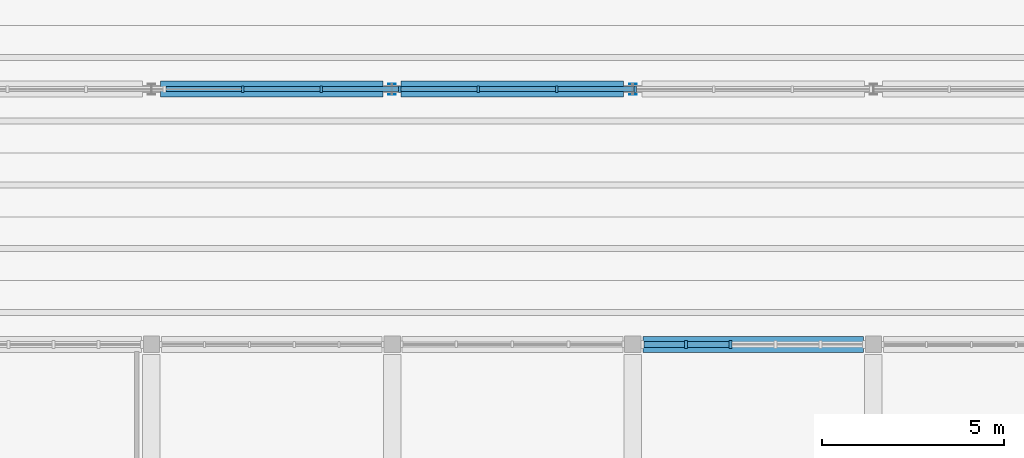
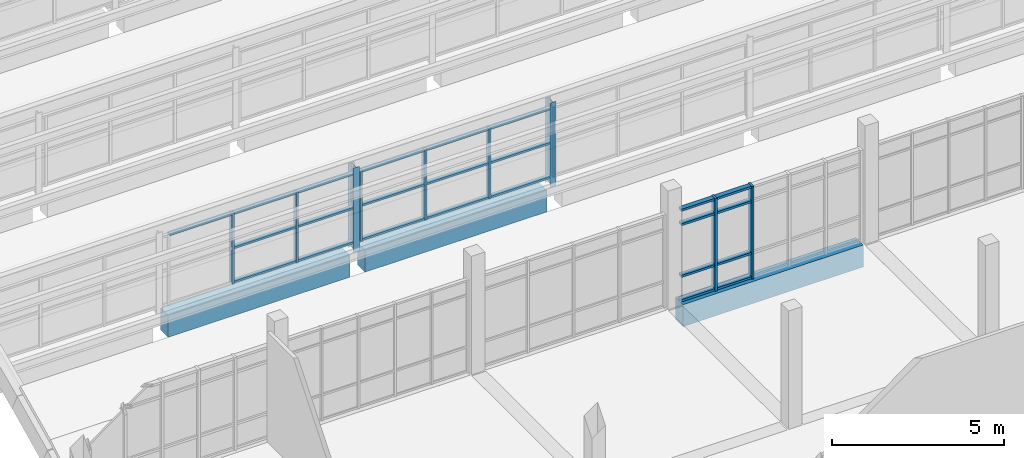
# One storey, part 14 of 92: 34 members, 3 beams, 2 elements without a shape of their own.
"""IFC4 building model written with IfcOpenShell, lengths in metres."""

from ifc_helpers import new_model, si_unit, direction, frame, origin, origin_2d, place, context, subcontext, project, spatial, rectangle, i_section, extrude, material, material_profile, profile_set, type_object, element, aggregate, save


model = new_model("IFC4")

# Units and contexts
model_context = context("Model", 3, precision=1e-05, world=origin(), true_north=direction((0.0, 1.0)))
body_context = subcontext(model_context, "Body", "Model", "MODEL_VIEW")
ifc_project = project(units=[si_unit("LENGTHUNIT", "METRE"), si_unit("AREAUNIT", "SQUARE_METRE"), si_unit("VOLUMEUNIT", "CUBIC_METRE"), si_unit("PLANEANGLEUNIT", "RADIAN"), si_unit("MASSUNIT", "GRAM", prefix="KILO")], contexts=[model_context])

# Site, building, storey
site_placement = place(None, origin())
site = spatial("IfcSite", under=ifc_project, at=site_placement, CompositionType="ELEMENT")
building_placement = place(site_placement, origin())
building = spatial("IfcBuilding", under=site, at=building_placement, Name="Ciguamira Faculty of Natural Sciences", CompositionType="ELEMENT")
storey_placement = place(building_placement, frame((0.0, 0.0, 16.800048828125)))
storey = spatial("IfcBuildingStorey", under=building, at=storey_placement, Name="L04", CompositionType="ELEMENT", Elevation=16.800048828125)

# Curtain wall, members
ifc_material_1 = material(Name="Anodized aluminium curtain wall", Category="aluminium")
curtain_wall_type_1 = type_object("IfcCurtainWallType", Name="CurtainWall_CW-02", PredefinedType="USERDEFINED", material=ifc_material_1)
curtain_wall_1_placement = place(storey_placement, origin())
curtain_wall_1 = element("IfcCurtainWall", 1, at=curtain_wall_1_placement, inside=storey, type_object=curtain_wall_type_1, Name="V4 north-light wave 1 clerestory glazing 1", ObjectType="UNITISED CURTAIN WALL", PredefinedType="USERDEFINED")
ifc_material_2 = material(Name="Anodized aluminium mullion", Category="aluminium")
ifc_material_profile_1 = material_profile(ifc_material_2, rectangle(XDim=0.070068359375, YDim=0.179931640625, at=origin_2d()), Name="ALU-MUL-70X180")
ifc_profile_set_1 = profile_set([ifc_material_profile_1], Name="Anodized aluminium mullion")
member_type_1 = type_object("IfcMemberType", Name="CWMullion_CWM-02", PredefinedType="MULLION", material=ifc_profile_set_1)
member_1_placement = place(storey_placement, frame((73.009521484375, 45.0, 0.25), z_axis=(0.0, 0.0, 1.0), x_axis=(1.0, 0.0, 0.0)))
member_1 = element("IfcMember", 2, at=member_1_placement, type_object=member_type_1, Name="CW-02 mullion 5", PredefinedType="MULLION", context=body_context, shape_type="SweptSolid", body=[
    extrude(rectangle(XDim=0.070068359375, YDim=0.179931640625, at=origin_2d()), origin(), (0.0, 0.0, 1.0), 2.5),
])
member_2_placement = place(storey_placement, frame((75.161865234375, 45.0, 0.25), z_axis=(0.0, 0.0, 1.0), x_axis=(1.0, 0.0, 0.0)))
member_2 = element("IfcMember", 3, at=member_2_placement, type_object=member_type_1, Name="CW-02 mullion 6", PredefinedType="MULLION", context=body_context, shape_type="SweptSolid", body=[
    extrude(rectangle(XDim=0.070068359375, YDim=0.179931640625, at=origin_2d()), origin(), (0.0, 0.0, 1.0), 2.5),
])
member_3_placement = place(storey_placement, frame((77.314208984375, 45.0, 0.25), z_axis=(0.0, 0.0, 1.0), x_axis=(1.0, 0.0, 0.0)))
member_3 = element("IfcMember", 4, at=member_3_placement, type_object=member_type_1, Name="CW-02 mullion 7", PredefinedType="MULLION", context=body_context, shape_type="SweptSolid", body=[
    extrude(rectangle(XDim=0.070068359375, YDim=0.179931640625, at=origin_2d()), origin(), (0.0, 0.0, 1.0), 2.5),
])
member_4_placement = place(storey_placement, frame((79.466552734375, 45.0, 0.25), z_axis=(0.0, 0.0, 1.0), x_axis=(1.0, 0.0, 0.0)))
member_4 = element("IfcMember", 5, at=member_4_placement, type_object=member_type_1, Name="CW-02 mullion 8", PredefinedType="MULLION", context=body_context, shape_type="SweptSolid", body=[
    extrude(rectangle(XDim=0.070068359375, YDim=0.179931640625, at=origin_2d()), origin(), (0.0, 0.0, 1.0), 2.5),
])
member_5_placement = place(storey_placement, frame((81.619140625, 45.0, 0.25), z_axis=(0.0, 0.0, 1.0), x_axis=(1.0, 0.0, 0.0)))
member_5 = element("IfcMember", 6, at=member_5_placement, type_object=member_type_1, Name="CW-02 mullion 9", PredefinedType="MULLION", context=body_context, shape_type="SweptSolid", body=[
    extrude(rectangle(XDim=0.070068359375, YDim=0.179931640625, at=origin_2d()), origin(), (0.0, 0.0, 1.0), 2.5),
])
member_6_placement = place(storey_placement, frame((83.771484375, 45.0, 0.25), z_axis=(0.0, 0.0, 1.0), x_axis=(1.0, 0.0, 0.0)))
member_6 = element("IfcMember", 7, at=member_6_placement, type_object=member_type_1, Name="CW-02 mullion 10", PredefinedType="MULLION", context=body_context, shape_type="SweptSolid", body=[
    extrude(rectangle(XDim=0.070068359375, YDim=0.179931640625, at=origin_2d()), origin(), (0.0, 0.0, 1.0), 2.5),
])

curtain_wall_type_2 = type_object("IfcCurtainWallType", Name="CurtainWall_CW-09", PredefinedType="USERDEFINED", material=ifc_material_1)
curtain_wall_2_placement = place(storey_placement, origin())
curtain_wall_2 = element("IfcCurtainWall", 8, at=curtain_wall_2_placement, inside=storey, type_object=curtain_wall_type_2, Name="L04 unitised curtain wall 0117", ObjectType="UNITISED CURTAIN WALL", PredefinedType="USERDEFINED")
ifc_material_profile_2 = material_profile(ifc_material_2, rectangle(XDim=0.080078125, YDim=0.219970703125, at=origin_2d()), Name="ALU-MUL-80X220")
ifc_profile_set_2 = profile_set([ifc_material_profile_2], Name="Anodized aluminium mullion")
member_type_2 = type_object("IfcMemberType", Name="CWMullion_CWM-03", PredefinedType="MULLION", material=ifc_profile_set_2)
member_7_placement = place(storey_placement, frame((85.155029296875, 38.0, 0.0), z_axis=(0.0, 0.0, 1.0), x_axis=(1.0, 0.0, 0.0)))
member_7 = element("IfcMember", 9, at=member_7_placement, type_object=member_type_2, Name="CW-09 mullion 2", PredefinedType="MULLION", context=body_context, shape_type="SweptSolid", body=[
    extrude(rectangle(XDim=0.080078125, YDim=0.219970703125, at=origin_2d()), origin(), (0.0, 0.0, 1.0), 3.284912109375),
])
member_8_placement = place(storey_placement, frame((86.385009765625, 38.0, 0.0), z_axis=(0.0, 0.0, 1.0), x_axis=(1.0, 0.0, 0.0)))
member_8 = element("IfcMember", 10, at=member_8_placement, type_object=member_type_2, Name="CW-09 mullion 3", PredefinedType="MULLION", context=body_context, shape_type="SweptSolid", body=[
    extrude(rectangle(XDim=0.080078125, YDim=0.219970703125, at=origin_2d()), origin(), (0.0, 0.0, 1.0), 3.284912109375),
])

# Member
ifc_material_3 = material(Name="Anodized aluminium transom", Category="aluminium")
ifc_material_profile_3 = material_profile(ifc_material_3, rectangle(XDim=0.070068359375, YDim=0.139892578125, at=origin_2d()), Name="ALU-TRN-70X140")
ifc_profile_set_3 = profile_set([ifc_material_profile_3], Name="Anodized aluminium transom")
member_type_3 = type_object("IfcMemberType", Name="CWTransom_CWT-02", PredefinedType="USERDEFINED", material=ifc_profile_set_3)
member_9_placement = place(storey_placement, frame((70.89208984375, 45.0, 2.71484375), z_axis=(1.0, 0.0, 0.0), x_axis=(0.0, 0.0, 1.0)))
member_9 = element("IfcMember", 11, at=member_9_placement, type_object=member_type_3, Name="CW-02 transom 4.3", ObjectType="TRANSOM", PredefinedType="USERDEFINED", context=body_context, shape_type="SweptSolid", body=[
    extrude(rectangle(XDim=0.070068359375, YDim=0.139892578125, at=origin_2d()), origin(), (0.0, 0.0, 1.0), 2.08251953125),
])

member_10_placement = place(storey_placement, frame((73.04443359375, 45.0, 0.284912109375), z_axis=(1.0, 0.0, 0.0), x_axis=(0.0, 0.0, 1.0)))
member_10 = element("IfcMember", 12, at=member_10_placement, type_object=member_type_3, Name="CW-02 transom 5.1", ObjectType="TRANSOM", PredefinedType="USERDEFINED", context=body_context, shape_type="SweptSolid", body=[
    extrude(rectangle(XDim=0.070068359375, YDim=0.139892578125, at=origin_2d()), origin(), (0.0, 0.0, 1.0), 2.08251953125),
])

member_11_placement = place(storey_placement, frame((73.04443359375, 45.0, 1.5), z_axis=(1.0, 0.0, 0.0), x_axis=(0.0, 0.0, 1.0)))
member_11 = element("IfcMember", 13, at=member_11_placement, type_object=member_type_3, Name="CW-02 transom 5.2", ObjectType="TRANSOM", PredefinedType="USERDEFINED", context=body_context, shape_type="SweptSolid", body=[
    extrude(rectangle(XDim=0.070068359375, YDim=0.139892578125, at=origin_2d()), origin(), (0.0, 0.0, 1.0), 2.08251953125),
])

member_12_placement = place(storey_placement, frame((73.04443359375, 45.0, 2.71484375), z_axis=(1.0, 0.0, 0.0), x_axis=(0.0, 0.0, 1.0)))
member_12 = element("IfcMember", 14, at=member_12_placement, type_object=member_type_3, Name="CW-02 transom 5.3", ObjectType="TRANSOM", PredefinedType="USERDEFINED", context=body_context, shape_type="SweptSolid", body=[
    extrude(rectangle(XDim=0.070068359375, YDim=0.139892578125, at=origin_2d()), origin(), (0.0, 0.0, 1.0), 2.08251953125),
])

member_13_placement = place(storey_placement, frame((75.197021484375, 45.0, 0.284912109375), z_axis=(1.0, 0.0, 0.0), x_axis=(0.0, 0.0, 1.0)))
member_13 = element("IfcMember", 15, at=member_13_placement, type_object=member_type_3, Name="CW-02 transom 6.1", ObjectType="TRANSOM", PredefinedType="USERDEFINED", context=body_context, shape_type="SweptSolid", body=[
    extrude(rectangle(XDim=0.070068359375, YDim=0.139892578125, at=origin_2d()), origin(), (0.0, 0.0, 1.0), 2.082275390625),
])

member_14_placement = place(storey_placement, frame((75.197021484375, 45.0, 1.5), z_axis=(1.0, 0.0, 0.0), x_axis=(0.0, 0.0, 1.0)))
member_14 = element("IfcMember", 16, at=member_14_placement, type_object=member_type_3, Name="CW-02 transom 6.2", ObjectType="TRANSOM", PredefinedType="USERDEFINED", context=body_context, shape_type="SweptSolid", body=[
    extrude(rectangle(XDim=0.070068359375, YDim=0.139892578125, at=origin_2d()), origin(), (0.0, 0.0, 1.0), 2.082275390625),
])

member_15_placement = place(storey_placement, frame((75.197021484375, 45.0, 2.71484375), z_axis=(1.0, 0.0, 0.0), x_axis=(0.0, 0.0, 1.0)))
member_15 = element("IfcMember", 17, at=member_15_placement, type_object=member_type_3, Name="CW-02 transom 6.3", ObjectType="TRANSOM", PredefinedType="USERDEFINED", context=body_context, shape_type="SweptSolid", body=[
    extrude(rectangle(XDim=0.070068359375, YDim=0.139892578125, at=origin_2d()), origin(), (0.0, 0.0, 1.0), 2.082275390625),
])

member_16_placement = place(storey_placement, frame((77.349365234375, 45.0, 0.284912109375), z_axis=(1.0, 0.0, 0.0), x_axis=(0.0, 0.0, 1.0)))
member_16 = element("IfcMember", 18, at=member_16_placement, type_object=member_type_3, Name="CW-02 transom 7.1", ObjectType="TRANSOM", PredefinedType="USERDEFINED", context=body_context, shape_type="SweptSolid", body=[
    extrude(rectangle(XDim=0.070068359375, YDim=0.139892578125, at=origin_2d()), origin(), (0.0, 0.0, 1.0), 2.082275390625),
])

member_17_placement = place(storey_placement, frame((77.349365234375, 45.0, 1.5), z_axis=(1.0, 0.0, 0.0), x_axis=(0.0, 0.0, 1.0)))
member_17 = element("IfcMember", 19, at=member_17_placement, type_object=member_type_3, Name="CW-02 transom 7.2", ObjectType="TRANSOM", PredefinedType="USERDEFINED", context=body_context, shape_type="SweptSolid", body=[
    extrude(rectangle(XDim=0.070068359375, YDim=0.139892578125, at=origin_2d()), origin(), (0.0, 0.0, 1.0), 2.082275390625),
])

member_18_placement = place(storey_placement, frame((77.349365234375, 45.0, 2.71484375), z_axis=(1.0, 0.0, 0.0), x_axis=(0.0, 0.0, 1.0)))
member_18 = element("IfcMember", 20, at=member_18_placement, type_object=member_type_3, Name="CW-02 transom 7.3", ObjectType="TRANSOM", PredefinedType="USERDEFINED", context=body_context, shape_type="SweptSolid", body=[
    extrude(rectangle(XDim=0.070068359375, YDim=0.139892578125, at=origin_2d()), origin(), (0.0, 0.0, 1.0), 2.082275390625),
])

member_19_placement = place(storey_placement, frame((79.501708984375, 45.0, 0.284912109375), z_axis=(1.0, 0.0, 0.0), x_axis=(0.0, 0.0, 1.0)))
member_19 = element("IfcMember", 21, at=member_19_placement, type_object=member_type_3, Name="CW-02 transom 8.1", ObjectType="TRANSOM", PredefinedType="USERDEFINED", context=body_context, shape_type="SweptSolid", body=[
    extrude(rectangle(XDim=0.070068359375, YDim=0.139892578125, at=origin_2d()), origin(), (0.0, 0.0, 1.0), 2.082275390625),
])

member_20_placement = place(storey_placement, frame((79.501708984375, 45.0, 1.5), z_axis=(1.0, 0.0, 0.0), x_axis=(0.0, 0.0, 1.0)))
member_20 = element("IfcMember", 22, at=member_20_placement, type_object=member_type_3, Name="CW-02 transom 8.2", ObjectType="TRANSOM", PredefinedType="USERDEFINED", context=body_context, shape_type="SweptSolid", body=[
    extrude(rectangle(XDim=0.070068359375, YDim=0.139892578125, at=origin_2d()), origin(), (0.0, 0.0, 1.0), 2.082275390625),
])

member_21_placement = place(storey_placement, frame((79.501708984375, 45.0, 2.71484375), z_axis=(1.0, 0.0, 0.0), x_axis=(0.0, 0.0, 1.0)))
member_21 = element("IfcMember", 23, at=member_21_placement, type_object=member_type_3, Name="CW-02 transom 8.3", ObjectType="TRANSOM", PredefinedType="USERDEFINED", context=body_context, shape_type="SweptSolid", body=[
    extrude(rectangle(XDim=0.070068359375, YDim=0.139892578125, at=origin_2d()), origin(), (0.0, 0.0, 1.0), 2.082275390625),
])

member_22_placement = place(storey_placement, frame((81.654052734375, 45.0, 0.284912109375), z_axis=(1.0, 0.0, 0.0), x_axis=(0.0, 0.0, 1.0)))
member_22 = element("IfcMember", 24, at=member_22_placement, type_object=member_type_3, Name="CW-02 transom 9.1", ObjectType="TRANSOM", PredefinedType="USERDEFINED", context=body_context, shape_type="SweptSolid", body=[
    extrude(rectangle(XDim=0.070068359375, YDim=0.139892578125, at=origin_2d()), origin(), (0.0, 0.0, 1.0), 2.082275390625),
])

member_23_placement = place(storey_placement, frame((81.654052734375, 45.0, 1.5), z_axis=(1.0, 0.0, 0.0), x_axis=(0.0, 0.0, 1.0)))
member_23 = element("IfcMember", 25, at=member_23_placement, type_object=member_type_3, Name="CW-02 transom 9.2", ObjectType="TRANSOM", PredefinedType="USERDEFINED", context=body_context, shape_type="SweptSolid", body=[
    extrude(rectangle(XDim=0.070068359375, YDim=0.139892578125, at=origin_2d()), origin(), (0.0, 0.0, 1.0), 2.082275390625),
])

member_24_placement = place(storey_placement, frame((81.654052734375, 45.0, 2.71484375), z_axis=(1.0, 0.0, 0.0), x_axis=(0.0, 0.0, 1.0)))
member_24 = element("IfcMember", 26, at=member_24_placement, type_object=member_type_3, Name="CW-02 transom 9.3", ObjectType="TRANSOM", PredefinedType="USERDEFINED", context=body_context, shape_type="SweptSolid", body=[
    extrude(rectangle(XDim=0.070068359375, YDim=0.139892578125, at=origin_2d()), origin(), (0.0, 0.0, 1.0), 2.082275390625),
])

aggregate(curtain_wall_1, [member_1, member_2, member_3, member_4, member_5, member_6, member_9, member_10, member_11, member_12, member_13, member_14, member_15, member_16, member_17, member_18, member_19, member_20, member_21, member_22, member_23, member_24])

ifc_material_profile_4 = material_profile(ifc_material_3, rectangle(XDim=0.080078125, YDim=0.159912109375, at=origin_2d()), Name="ALU-TRN-80X160")
ifc_profile_set_4 = profile_set([ifc_material_profile_4], Name="Anodized aluminium transom")
member_type_4 = type_object("IfcMemberType", Name="CWTransom_CWT-03", PredefinedType="USERDEFINED", material=ifc_profile_set_4)
member_25_placement = place(storey_placement, frame((84.0048828125, 38.0, 0.0400390625), z_axis=(1.0, 0.0, 0.0), x_axis=(0.0, 0.0, 1.0)))
member_25 = element("IfcMember", 27, at=member_25_placement, type_object=member_type_4, Name="CW-09 transom 1.1", ObjectType="TRANSOM", PredefinedType="USERDEFINED", context=body_context, shape_type="SweptSolid", body=[
    extrude(rectangle(XDim=0.080078125, YDim=0.159912109375, at=origin_2d()), origin(), (0.0, 0.0, 1.0), 1.110107421875),
])

member_26_placement = place(storey_placement, frame((84.0048828125, 38.0, 0.89990234375), z_axis=(1.0, 0.0, 0.0), x_axis=(0.0, 0.0, 1.0)))
member_26 = element("IfcMember", 28, at=member_26_placement, type_object=member_type_4, Name="CW-09 transom 1.2", ObjectType="TRANSOM", PredefinedType="USERDEFINED", context=body_context, shape_type="SweptSolid", body=[
    extrude(rectangle(XDim=0.080078125, YDim=0.159912109375, at=origin_2d()), origin(), (0.0, 0.0, 1.0), 1.110107421875),
])

member_27_placement = place(storey_placement, frame((84.0048828125, 38.0, 2.73486328125), z_axis=(1.0, 0.0, 0.0), x_axis=(0.0, 0.0, 1.0)))
member_27 = element("IfcMember", 29, at=member_27_placement, type_object=member_type_4, Name="CW-09 transom 1.3", ObjectType="TRANSOM", PredefinedType="USERDEFINED", context=body_context, shape_type="SweptSolid", body=[
    extrude(rectangle(XDim=0.080078125, YDim=0.159912109375, at=origin_2d()), origin(), (0.0, 0.0, 1.0), 1.110107421875),
])

member_28_placement = place(storey_placement, frame((84.0048828125, 38.0, 3.244873046875), z_axis=(1.0, 0.0, 0.0), x_axis=(0.0, 0.0, 1.0)))
member_28 = element("IfcMember", 30, at=member_28_placement, type_object=member_type_4, Name="CW-09 transom 1.4", ObjectType="TRANSOM", PredefinedType="USERDEFINED", context=body_context, shape_type="SweptSolid", body=[
    extrude(rectangle(XDim=0.080078125, YDim=0.159912109375, at=origin_2d()), origin(), (0.0, 0.0, 1.0), 1.110107421875),
])

member_29_placement = place(storey_placement, frame((85.195068359375, 38.0, 0.0400390625), z_axis=(1.0, 0.0, 0.0), x_axis=(0.0, 0.0, 1.0)))
member_29 = element("IfcMember", 31, at=member_29_placement, type_object=member_type_4, Name="CW-09 transom 2.1", ObjectType="TRANSOM", PredefinedType="USERDEFINED", context=body_context, shape_type="SweptSolid", body=[
    extrude(rectangle(XDim=0.080078125, YDim=0.159912109375, at=origin_2d()), origin(), (0.0, 0.0, 1.0), 1.14990234375),
])

member_30_placement = place(storey_placement, frame((85.195068359375, 38.0, 0.89990234375), z_axis=(1.0, 0.0, 0.0), x_axis=(0.0, 0.0, 1.0)))
member_30 = element("IfcMember", 32, at=member_30_placement, type_object=member_type_4, Name="CW-09 transom 2.2", ObjectType="TRANSOM", PredefinedType="USERDEFINED", context=body_context, shape_type="SweptSolid", body=[
    extrude(rectangle(XDim=0.080078125, YDim=0.159912109375, at=origin_2d()), origin(), (0.0, 0.0, 1.0), 1.14990234375),
])

member_31_placement = place(storey_placement, frame((85.195068359375, 38.0, 2.73486328125), z_axis=(1.0, 0.0, 0.0), x_axis=(0.0, 0.0, 1.0)))
member_31 = element("IfcMember", 33, at=member_31_placement, type_object=member_type_4, Name="CW-09 transom 2.3", ObjectType="TRANSOM", PredefinedType="USERDEFINED", context=body_context, shape_type="SweptSolid", body=[
    extrude(rectangle(XDim=0.080078125, YDim=0.159912109375, at=origin_2d()), origin(), (0.0, 0.0, 1.0), 1.14990234375),
])

member_32_placement = place(storey_placement, frame((85.195068359375, 38.0, 3.244873046875), z_axis=(1.0, 0.0, 0.0), x_axis=(0.0, 0.0, 1.0)))
member_32 = element("IfcMember", 34, at=member_32_placement, type_object=member_type_4, Name="CW-09 transom 2.4", ObjectType="TRANSOM", PredefinedType="USERDEFINED", context=body_context, shape_type="SweptSolid", body=[
    extrude(rectangle(XDim=0.080078125, YDim=0.159912109375, at=origin_2d()), origin(), (0.0, 0.0, 1.0), 1.14990234375),
])

aggregate(curtain_wall_2, [member_7, member_8, member_25, member_26, member_27, member_28, member_29, member_30, member_31, member_32])

# Beams
ifc_material_4 = material(Name="Concrete C40/50", Category="concrete")
ifc_material_profile_5 = material_profile(ifc_material_4, rectangle(XDim=0.43994140625, YDim=0.780029296875, at=origin_2d()), Name="RC-BM-440X780")
ifc_profile_set_5 = profile_set([ifc_material_profile_5], Name="Concrete C40/50")
beam_type = type_object("IfcBeamType", Name="RCBeam_BG-06_RC-BM-440X780", PredefinedType="BEAM", material=ifc_profile_set_5)
beam_1_placement = place(storey_placement, frame((70.75, 45.0, -0.39013671875), z_axis=(1.0, 0.0, 0.0), x_axis=(0.0, 1.0, 0.0)))
element("IfcBeam", 35, at=beam_1_placement, inside=storey, type_object=beam_type, Name="V4 north-light wave 1 RC valley beam NVL-1-2", PredefinedType="BEAM", context=body_context, shape_type="SweptSolid", body=[
    extrude(rectangle(XDim=0.43994140625, YDim=0.780029296875, at=origin_2d()), origin(), (0.0, 0.0, 1.0), 6.10009765625),
])
beam_2_placement = place(storey_placement, frame((77.35009765625, 45.0, -0.39013671875), z_axis=(1.0, 0.0, 0.0), x_axis=(0.0, 1.0, 0.0)))
element("IfcBeam", 36, at=beam_2_placement, inside=storey, type_object=beam_type, Name="V4 north-light wave 1 RC valley beam NVL-1-3", PredefinedType="BEAM", context=body_context, shape_type="SweptSolid", body=[
    extrude(rectangle(XDim=0.43994140625, YDim=0.780029296875, at=origin_2d()), origin(), (0.0, 0.0, 1.0), 6.099853515625),
])
beam_3_placement = place(storey_placement, frame((83.97509765625, 38.0, -0.39013671875), z_axis=(1.0, 0.0, 0.0), x_axis=(0.0, 1.0, 0.0)))
element("IfcBeam", 37, at=beam_3_placement, inside=storey, type_object=beam_type, Name="V4 north-light wave 1 RC valley beam VAL-1-4", PredefinedType="BEAM", context=body_context, shape_type="SweptSolid", body=[
    extrude(rectangle(XDim=0.43994140625, YDim=0.780029296875, at=origin_2d()), origin(), (0.0, 0.0, 1.0), 6.0498046875),
])

# Members
ifc_material_5 = material(Name="Steel ASTM A992 Grade 50", Category="steel")
ifc_material_profile_6 = material_profile(ifc_material_5, i_section(OverallWidth=0.20458984375, OverallDepth=0.307373046875, WebThickness=0.008544921875, FlangeThickness=0.0146484375, at=origin_2d()), Name="W12X45")
ifc_profile_set_6 = profile_set([ifc_material_profile_6], Name="Steel ASTM A992 Grade 50")
member_type_5 = type_object("IfcMemberType", Name="SteelMember_TS-01_W12X45", PredefinedType="STRUT", material=ifc_profile_set_6)
for number, where, z_axis, x_axis, name in (
    (38, (77.10009765625, 45.0, 0.0), (0.0, 0.0, 1.0), (1.0, 0.0, 0.0), "V4 north-light wave 1 clerestory post 77"),
    (39, (83.699951171875, 45.0, 0.0), (0.0, 0.0, 1.0), (1.0, 0.0, 0.0), "V4 north-light wave 1 clerestory post 84"),
):
    element("IfcMember", number, at=place(storey_placement, frame(where, z_axis=z_axis, x_axis=x_axis)), inside=storey, type_object=member_type_5, Name=name, PredefinedType="STRUT", context=body_context, shape_type="SweptSolid", body=[
        extrude(i_section(OverallWidth=0.20458984375, OverallDepth=0.307373046875, WebThickness=0.008544921875, FlangeThickness=0.0146484375, at=origin_2d()), origin(), (0.0, 0.0, 1.0), 2.986328125),
    ])

save(model, "model.ifc")
